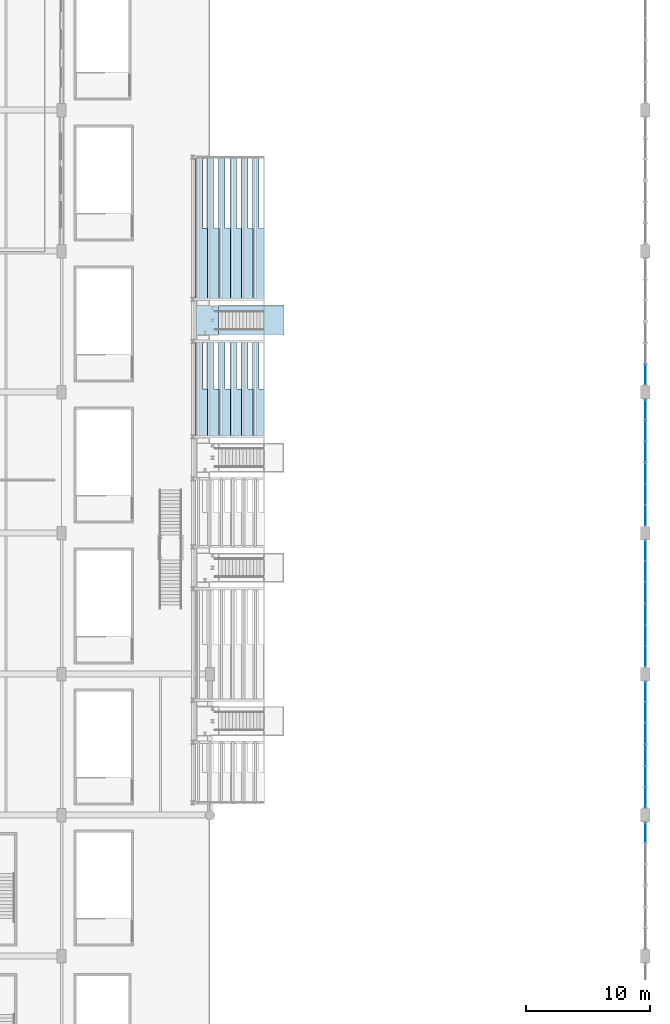
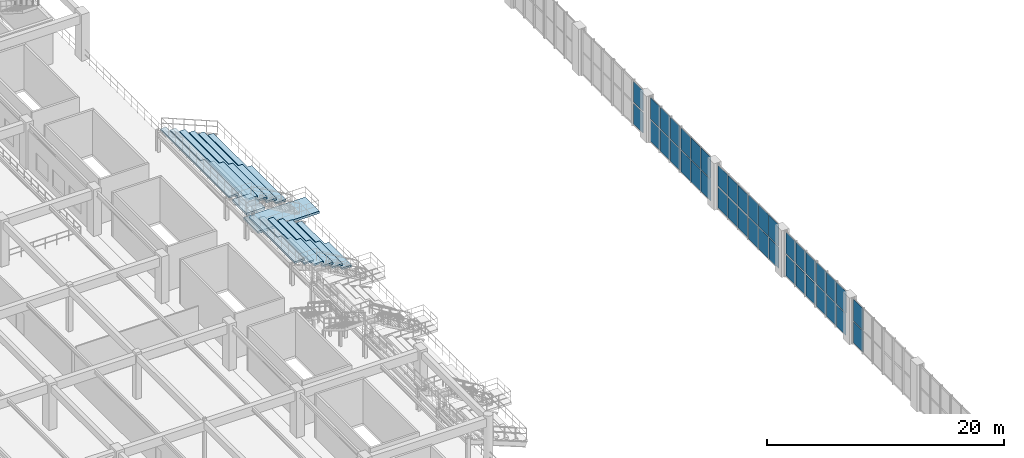
# One storey, part 75 of 106: 40 plates, 14 slabs, 8 elements without a shape of their own.
"""IFC4 building model written with IfcOpenShell, lengths in metres."""

from ifc_helpers import new_model, si_unit, direction, frame, origin, origin_2d, place, context, subcontext, project, spatial, polyline, rectangle, outline, extrude, material, layer, layer_set, type_object, element, aggregate, save


model = new_model("IFC4")

# Units and contexts
model_context = context("Model", 3, precision=1e-05, world=origin(), true_north=direction((0.0, 1.0)))
body_context = subcontext(model_context, "Body", "Model", "MODEL_VIEW")
ifc_project = project(units=[si_unit("LENGTHUNIT", "METRE"), si_unit("AREAUNIT", "SQUARE_METRE"), si_unit("VOLUMEUNIT", "CUBIC_METRE"), si_unit("PLANEANGLEUNIT", "RADIAN"), si_unit("MASSUNIT", "GRAM", prefix="KILO"), si_unit("POWERUNIT", "WATT"), si_unit("THERMODYNAMICTEMPERATUREUNIT", "KELVIN")], contexts=[model_context])

# Site, building, storey
site_placement = place(None, origin())
site = spatial("IfcSite", under=ifc_project, at=site_placement, CompositionType="ELEMENT")
building_placement = place(site_placement, origin())
building = spatial("IfcBuilding", under=site, at=building_placement, Name="Kelmbourne Parkland Aquatics Centre", CompositionType="ELEMENT")
storey_placement = place(building_placement, frame((0.0, 0.0, 5.39990234375)))
storey = spatial("IfcBuildingStorey", under=building, at=storey_placement, Name="L01", CompositionType="ELEMENT", Elevation=5.39990234375)

# Curtain wall, plate
ifc_material_1 = material(Name="Thermally broken anodised aluminium framing", Category="aluminium")
ifc_layer_1 = layer(ifc_material_1, 0.179931640625)
ifc_layer_set_1 = layer_set([ifc_layer_1], Name="Thermally broken anodised aluminium framing")
curtain_wall_type_1 = type_object("IfcCurtainWallType", Name="CW-09", PredefinedType="NOTDEFINED", material=ifc_layer_set_1)
curtain_wall_1_placement = place(storey_placement, origin())
curtain_wall_1 = element("IfcCurtainWall", 1, at=curtain_wall_1_placement, inside=storey, type_object=curtain_wall_type_1, Name="Wave-hall clerestory curtain wall CW-L01-033", PredefinedType="NOTDEFINED")
ifc_material_2 = material(Name="Double-glazed low-e laminated safety glass", Category="glass")
ifc_layer_2 = layer(ifc_material_2, 0.0419921875)
ifc_layer_set_2 = layer_set([ifc_layer_2], Name="Double-glazed low-e laminated safety glass")
plate_type_1 = type_object("IfcPlateType", Name="PL-CLR-1", PredefinedType="USERDEFINED", material=ifc_layer_set_2)
plate_1_placement = place(storey_placement, frame((175.199951171875, 33.558349609375, 2.428955078125), z_axis=(0.0, 0.0, 1.0), x_axis=(0.0, 1.0, 0.0)))
plate_1 = element("IfcPlate", 2, at=plate_1_placement, type_object=plate_type_1, Name="CW-L01-033 clerestory glazing 1-2", ObjectType="CLERESTORY GLAZING", PredefinedType="USERDEFINED", context=body_context, shape_type="SweptSolid", body=[
    extrude(rectangle(XDim=1.601318359375, YDim=0.0419921875, at=origin_2d()), origin(), (0.0, 0.0, 1.0), 2.2041015625),
])

# Curtain wall, plates
ifc_layer_3 = layer(ifc_material_1, 0.179931640625)
ifc_layer_set_3 = layer_set([ifc_layer_3], Name="Thermally broken anodised aluminium framing")
curtain_wall_type_2 = type_object("IfcCurtainWallType", Name="CW-15", PredefinedType="NOTDEFINED", material=ifc_layer_set_3)
curtain_wall_2_placement = place(storey_placement, origin())
curtain_wall_2 = element("IfcCurtainWall", 3, at=curtain_wall_2_placement, inside=storey, type_object=curtain_wall_type_2, Name="Wave-hall clerestory curtain wall CW-L01-039", PredefinedType="NOTDEFINED")
plate_2_placement = place(storey_placement, frame((175.199951171875, 36.445068359375, 2.428955078125), z_axis=(0.0, 0.0, 1.0), x_axis=(0.0, 1.0, 0.0)))
plate_2 = element("IfcPlate", 4, at=plate_2_placement, type_object=plate_type_1, Name="CW-L01-039 clerestory glazing 1-0", ObjectType="CLERESTORY GLAZING", PredefinedType="USERDEFINED", context=body_context, shape_type="SweptSolid", body=[
    extrude(rectangle(XDim=1.587890625, YDim=0.0419921875, at=origin_2d()), origin(), (0.0, 0.0, 1.0), 2.2041015625),
])
plate_3_placement = place(storey_placement, frame((175.199951171875, 38.1259765625, 2.428955078125), z_axis=(0.0, 0.0, 1.0), x_axis=(0.0, 1.0, 0.0)))
plate_3 = element("IfcPlate", 5, at=plate_3_placement, type_object=plate_type_1, Name="CW-L01-039 clerestory glazing 1-1", ObjectType="CLERESTORY GLAZING", PredefinedType="USERDEFINED", context=body_context, shape_type="SweptSolid", body=[
    extrude(rectangle(XDim=1.587890625, YDim=0.0419921875, at=origin_2d()), origin(), (0.0, 0.0, 1.0), 2.2041015625),
])
plate_4_placement = place(storey_placement, frame((175.199951171875, 39.806884765625, 2.428955078125), z_axis=(0.0, 0.0, 1.0), x_axis=(0.0, 1.0, 0.0)))
plate_4 = element("IfcPlate", 6, at=plate_4_placement, type_object=plate_type_1, Name="CW-L01-039 clerestory glazing 1-2", ObjectType="CLERESTORY GLAZING", PredefinedType="USERDEFINED", context=body_context, shape_type="SweptSolid", body=[
    extrude(rectangle(XDim=1.587890625, YDim=0.0419921875, at=origin_2d()), origin(), (0.0, 0.0, 1.0), 2.2041015625),
])

ifc_layer_4 = layer(ifc_material_1, 0.179931640625)
ifc_layer_set_4 = layer_set([ifc_layer_4], Name="Thermally broken anodised aluminium framing")
curtain_wall_type_3 = type_object("IfcCurtainWallType", Name="CW-19", PredefinedType="NOTDEFINED", material=ifc_layer_set_4)
curtain_wall_3_placement = place(storey_placement, origin())
curtain_wall_3 = element("IfcCurtainWall", 7, at=curtain_wall_3_placement, inside=storey, type_object=curtain_wall_type_3, Name="Wave-hall clerestory curtain wall CW-L01-043", PredefinedType="NOTDEFINED")
plate_5_placement = place(storey_placement, frame((175.199951171875, 41.589599609375, 2.4443359375), z_axis=(0.0, 0.0, 1.0), x_axis=(0.0, 1.0, 0.0)))
plate_5 = element("IfcPlate", 8, at=plate_5_placement, type_object=plate_type_1, Name="CW-L01-043 clerestory glazing 1-0", ObjectType="CLERESTORY GLAZING", PredefinedType="USERDEFINED", context=body_context, shape_type="SweptSolid", body=[
    extrude(rectangle(XDim=1.601318359375, YDim=0.0419921875, at=origin_2d()), origin(), (0.0, 0.0, 1.0), 2.158935546875),
])
plate_6_placement = place(storey_placement, frame((175.199951171875, 43.27392578125, 2.4443359375), z_axis=(0.0, 0.0, 1.0), x_axis=(0.0, 1.0, 0.0)))
plate_6 = element("IfcPlate", 9, at=plate_6_placement, type_object=plate_type_1, Name="CW-L01-043 clerestory glazing 1-1", ObjectType="CLERESTORY GLAZING", PredefinedType="USERDEFINED", context=body_context, shape_type="SweptSolid", body=[
    extrude(rectangle(XDim=1.601318359375, YDim=0.0419921875, at=origin_2d()), origin(), (0.0, 0.0, 1.0), 2.158935546875),
])
plate_7_placement = place(storey_placement, frame((175.199951171875, 44.95849609375, 2.4443359375), z_axis=(0.0, 0.0, 1.0), x_axis=(0.0, 1.0, 0.0)))
plate_7 = element("IfcPlate", 10, at=plate_7_placement, type_object=plate_type_1, Name="CW-L01-043 clerestory glazing 1-2", ObjectType="CLERESTORY GLAZING", PredefinedType="USERDEFINED", context=body_context, shape_type="SweptSolid", body=[
    extrude(rectangle(XDim=1.601318359375, YDim=0.0419921875, at=origin_2d()), origin(), (0.0, 0.0, 1.0), 2.158935546875),
])

ifc_layer_5 = layer(ifc_material_1, 0.179931640625)
ifc_layer_set_5 = layer_set([ifc_layer_5], Name="Thermally broken anodised aluminium framing")
curtain_wall_type_4 = type_object("IfcCurtainWallType", Name="CW-21", PredefinedType="NOTDEFINED", material=ifc_layer_set_5)
curtain_wall_4_placement = place(storey_placement, origin())
curtain_wall_4 = element("IfcCurtainWall", 11, at=curtain_wall_4_placement, inside=storey, type_object=curtain_wall_type_4, Name="Wave-hall clerestory curtain wall CW-L01-045", PredefinedType="NOTDEFINED")
plate_8_placement = place(storey_placement, frame((175.199951171875, 47.83154296875, 2.428955078125), z_axis=(0.0, 0.0, 1.0), x_axis=(0.0, 1.0, 0.0)))
plate_8 = element("IfcPlate", 12, at=plate_8_placement, type_object=plate_type_1, Name="CW-L01-045 clerestory glazing 1-0", ObjectType="CLERESTORY GLAZING", PredefinedType="USERDEFINED", context=body_context, shape_type="SweptSolid", body=[
    extrude(rectangle(XDim=1.641357421875, YDim=0.0419921875, at=origin_2d()), origin(), (0.0, 0.0, 1.0), 2.2041015625),
])
plate_9_placement = place(storey_placement, frame((175.199951171875, 49.52587890625, 2.428955078125), z_axis=(0.0, 0.0, 1.0), x_axis=(0.0, 1.0, 0.0)))
plate_9 = element("IfcPlate", 13, at=plate_9_placement, type_object=plate_type_1, Name="CW-L01-045 clerestory glazing 1-1", ObjectType="CLERESTORY GLAZING", PredefinedType="USERDEFINED", context=body_context, shape_type="SweptSolid", body=[
    extrude(rectangle(XDim=1.641357421875, YDim=0.0419921875, at=origin_2d()), origin(), (0.0, 0.0, 1.0), 2.2041015625),
])
plate_10_placement = place(storey_placement, frame((175.199951171875, 51.22021484375, 2.428955078125), z_axis=(0.0, 0.0, 1.0), x_axis=(0.0, 1.0, 0.0)))
plate_10 = element("IfcPlate", 14, at=plate_10_placement, type_object=plate_type_1, Name="CW-L01-045 clerestory glazing 1-2", ObjectType="CLERESTORY GLAZING", PredefinedType="USERDEFINED", context=body_context, shape_type="SweptSolid", body=[
    extrude(rectangle(XDim=1.641357421875, YDim=0.0419921875, at=origin_2d()), origin(), (0.0, 0.0, 1.0), 2.2041015625),
])

ifc_layer_6 = layer(ifc_material_1, 0.179931640625)
ifc_layer_set_6 = layer_set([ifc_layer_6], Name="Thermally broken anodised aluminium framing")
curtain_wall_type_5 = type_object("IfcCurtainWallType", Name="CW-23", PredefinedType="NOTDEFINED", material=ifc_layer_set_6)
curtain_wall_5_placement = place(storey_placement, origin())
curtain_wall_5 = element("IfcCurtainWall", 15, at=curtain_wall_5_placement, inside=storey, type_object=curtain_wall_type_5, Name="Wave-hall clerestory curtain wall CW-L01-047", PredefinedType="NOTDEFINED")
plate_11_placement = place(storey_placement, frame((175.199951171875, 52.986328125, 2.458984375), z_axis=(0.0, 0.0, 1.0), x_axis=(0.0, 1.0, 0.0)))
plate_11 = element("IfcPlate", 16, at=plate_11_placement, type_object=plate_type_1, Name="CW-L01-047 clerestory glazing 1-0", ObjectType="CLERESTORY GLAZING", PredefinedType="USERDEFINED", context=body_context, shape_type="SweptSolid", body=[
    extrude(rectangle(XDim=1.61474609375, YDim=0.0419921875, at=origin_2d()), origin(), (0.0, 0.0, 1.0), 2.114013671875),
])
plate_12_placement = place(storey_placement, frame((175.199951171875, 54.674072265625, 2.458984375), z_axis=(0.0, 0.0, 1.0), x_axis=(0.0, 1.0, 0.0)))
plate_12 = element("IfcPlate", 17, at=plate_12_placement, type_object=plate_type_1, Name="CW-L01-047 clerestory glazing 1-1", ObjectType="CLERESTORY GLAZING", PredefinedType="USERDEFINED", context=body_context, shape_type="SweptSolid", body=[
    extrude(rectangle(XDim=1.614501953125, YDim=0.0419921875, at=origin_2d()), origin(), (0.0, 0.0, 1.0), 2.114013671875),
])
plate_13_placement = place(storey_placement, frame((175.199951171875, 56.36181640625, 2.458984375), z_axis=(0.0, 0.0, 1.0), x_axis=(0.0, 1.0, 0.0)))
plate_13 = element("IfcPlate", 18, at=plate_13_placement, type_object=plate_type_1, Name="CW-L01-047 clerestory glazing 1-2", ObjectType="CLERESTORY GLAZING", PredefinedType="USERDEFINED", context=body_context, shape_type="SweptSolid", body=[
    extrude(rectangle(XDim=1.61474609375, YDim=0.0419921875, at=origin_2d()), origin(), (0.0, 0.0, 1.0), 2.114013671875),
])

ifc_layer_7 = layer(ifc_material_1, 0.179931640625)
ifc_layer_set_7 = layer_set([ifc_layer_7], Name="Thermally broken anodised aluminium framing")
curtain_wall_type_6 = type_object("IfcCurtainWallType", Name="CW-03", PredefinedType="NOTDEFINED", material=ifc_layer_set_7)
curtain_wall_6_placement = place(storey_placement, origin())
curtain_wall_6 = element("IfcCurtainWall", 19, at=curtain_wall_6_placement, inside=storey, type_object=curtain_wall_type_6, Name="Wave-hall clerestory curtain wall CW-L01-051", PredefinedType="NOTDEFINED")
plate_14_placement = place(storey_placement, frame((175.199951171875, 59.235107421875, 2.428955078125), z_axis=(0.0, 0.0, 1.0), x_axis=(0.0, 1.0, 0.0)))
plate_14 = element("IfcPlate", 20, at=plate_14_placement, type_object=plate_type_1, Name="CW-L01-051 clerestory glazing 1-0", ObjectType="CLERESTORY GLAZING", PredefinedType="USERDEFINED", context=body_context, shape_type="SweptSolid", body=[
    extrude(rectangle(XDim=1.6279296875, YDim=0.0419921875, at=origin_2d()), origin(), (0.0, 0.0, 1.0), 2.2041015625),
])
plate_15_placement = place(storey_placement, frame((175.199951171875, 60.926025390625, 2.428955078125), z_axis=(0.0, 0.0, 1.0), x_axis=(0.0, 1.0, 0.0)))
plate_15 = element("IfcPlate", 21, at=plate_15_placement, type_object=plate_type_1, Name="CW-L01-051 clerestory glazing 1-1", ObjectType="CLERESTORY GLAZING", PredefinedType="USERDEFINED", context=body_context, shape_type="SweptSolid", body=[
    extrude(rectangle(XDim=1.6279296875, YDim=0.0419921875, at=origin_2d()), origin(), (0.0, 0.0, 1.0), 2.2041015625),
])
plate_16_placement = place(storey_placement, frame((175.199951171875, 62.616943359375, 2.428955078125), z_axis=(0.0, 0.0, 1.0), x_axis=(0.0, 1.0, 0.0)))
plate_16 = element("IfcPlate", 22, at=plate_16_placement, type_object=plate_type_1, Name="CW-L01-051 clerestory glazing 1-2", ObjectType="CLERESTORY GLAZING", PredefinedType="USERDEFINED", context=body_context, shape_type="SweptSolid", body=[
    extrude(rectangle(XDim=1.6279296875, YDim=0.0419921875, at=origin_2d()), origin(), (0.0, 0.0, 1.0), 2.2041015625),
])

ifc_layer_8 = layer(ifc_material_1, 0.179931640625)
ifc_layer_set_8 = layer_set([ifc_layer_8], Name="Thermally broken anodised aluminium framing")
curtain_wall_type_7 = type_object("IfcCurtainWallType", Name="CW-06", PredefinedType="NOTDEFINED", material=ifc_layer_set_8)
curtain_wall_7_placement = place(storey_placement, origin())
curtain_wall_7 = element("IfcCurtainWall", 23, at=curtain_wall_7_placement, inside=storey, type_object=curtain_wall_type_7, Name="Wave-hall clerestory curtain wall CW-L01-054", PredefinedType="NOTDEFINED")
plate_17_placement = place(storey_placement, frame((175.199951171875, 64.39306640625, 2.428955078125), z_axis=(0.0, 0.0, 1.0), x_axis=(0.0, 1.0, 0.0)))
plate_17 = element("IfcPlate", 24, at=plate_17_placement, type_object=plate_type_1, Name="CW-L01-054 clerestory glazing 1-0", ObjectType="CLERESTORY GLAZING", PredefinedType="USERDEFINED", context=body_context, shape_type="SweptSolid", body=[
    extrude(rectangle(XDim=1.587890625, YDim=0.0419921875, at=origin_2d()), origin(), (0.0, 0.0, 1.0), 2.2041015625),
])
plate_18_placement = place(storey_placement, frame((175.199951171875, 66.073974609375, 2.428955078125), z_axis=(0.0, 0.0, 1.0), x_axis=(0.0, 1.0, 0.0)))
plate_18 = element("IfcPlate", 25, at=plate_18_placement, type_object=plate_type_1, Name="CW-L01-054 clerestory glazing 1-1", ObjectType="CLERESTORY GLAZING", PredefinedType="USERDEFINED", context=body_context, shape_type="SweptSolid", body=[
    extrude(rectangle(XDim=1.587890625, YDim=0.0419921875, at=origin_2d()), origin(), (0.0, 0.0, 1.0), 2.2041015625),
])
plate_19_placement = place(storey_placement, frame((175.199951171875, 67.7548828125, 2.428955078125), z_axis=(0.0, 0.0, 1.0), x_axis=(0.0, 1.0, 0.0)))
plate_19 = element("IfcPlate", 26, at=plate_19_placement, type_object=plate_type_1, Name="CW-L01-054 clerestory glazing 1-2", ObjectType="CLERESTORY GLAZING", PredefinedType="USERDEFINED", context=body_context, shape_type="SweptSolid", body=[
    extrude(rectangle(XDim=1.587890625, YDim=0.0419921875, at=origin_2d()), origin(), (0.0, 0.0, 1.0), 2.2041015625),
])

# Curtain wall, plate
ifc_layer_9 = layer(ifc_material_1, 0.179931640625)
ifc_layer_set_9 = layer_set([ifc_layer_9], Name="Thermally broken anodised aluminium framing")
curtain_wall_type_8 = type_object("IfcCurtainWallType", Name="CW-11", PredefinedType="NOTDEFINED", material=ifc_layer_set_9)
curtain_wall_8_placement = place(storey_placement, origin())
curtain_wall_8 = element("IfcCurtainWall", 27, at=curtain_wall_8_placement, inside=storey, type_object=curtain_wall_type_8, Name="Wave-hall clerestory curtain wall CW-L01-059", PredefinedType="NOTDEFINED")
plate_20_placement = place(storey_placement, frame((175.199951171875, 70.64501953125, 2.458984375), z_axis=(0.0, 0.0, 1.0), x_axis=(0.0, 1.0, 0.0)))
plate_20 = element("IfcPlate", 28, at=plate_20_placement, type_object=plate_type_1, Name="CW-L01-059 clerestory glazing 1-0", ObjectType="CLERESTORY GLAZING", PredefinedType="USERDEFINED", context=body_context, shape_type="SweptSolid", body=[
    extrude(rectangle(XDim=1.587890625, YDim=0.0419921875, at=origin_2d()), origin(), (0.0, 0.0, 1.0), 2.114013671875),
])

# Plate
ifc_layer_10 = layer(ifc_material_2, 0.02392578125)
ifc_layer_set_10 = layer_set([ifc_layer_10], Name="Double-glazed low-e laminated safety glass")
plate_type_2 = type_object("IfcPlateType", Name="PL-CWP-1", PredefinedType="CURTAIN_PANEL", material=ifc_layer_set_10)
plate_21_placement = place(storey_placement, frame((175.199951171875, 33.558349609375, 0.116943359375), z_axis=(0.0, 0.0, 1.0), x_axis=(0.0, 1.0, 0.0)))
plate_21 = element("IfcPlate", 29, at=plate_21_placement, type_object=plate_type_2, Name="CW-L01-033 vision glazing 0-2", PredefinedType="CURTAIN_PANEL", context=body_context, shape_type="SweptSolid", body=[
    extrude(rectangle(XDim=1.601318359375, YDim=0.02392578125, at=origin_2d()), origin(), (0.0, 0.0, 1.0), 2.2041015625),
])

aggregate(curtain_wall_1, [plate_21, plate_1])

plate_22_placement = place(storey_placement, frame((175.199951171875, 36.445068359375, 0.116943359375), z_axis=(0.0, 0.0, 1.0), x_axis=(0.0, 1.0, 0.0)))
plate_22 = element("IfcPlate", 30, at=plate_22_placement, type_object=plate_type_2, Name="CW-L01-039 vision glazing 0-0", PredefinedType="CURTAIN_PANEL", context=body_context, shape_type="SweptSolid", body=[
    extrude(rectangle(XDim=1.587890625, YDim=0.02392578125, at=origin_2d()), origin(), (0.0, 0.0, 1.0), 2.2041015625),
])

plate_23_placement = place(storey_placement, frame((175.199951171875, 38.1259765625, 0.116943359375), z_axis=(0.0, 0.0, 1.0), x_axis=(0.0, 1.0, 0.0)))
plate_23 = element("IfcPlate", 31, at=plate_23_placement, type_object=plate_type_2, Name="CW-L01-039 vision glazing 0-1", PredefinedType="CURTAIN_PANEL", context=body_context, shape_type="SweptSolid", body=[
    extrude(rectangle(XDim=1.587890625, YDim=0.02392578125, at=origin_2d()), origin(), (0.0, 0.0, 1.0), 2.2041015625),
])

plate_24_placement = place(storey_placement, frame((175.199951171875, 39.806884765625, 0.116943359375), z_axis=(0.0, 0.0, 1.0), x_axis=(0.0, 1.0, 0.0)))
plate_24 = element("IfcPlate", 32, at=plate_24_placement, type_object=plate_type_2, Name="CW-L01-039 vision glazing 0-2", PredefinedType="CURTAIN_PANEL", context=body_context, shape_type="SweptSolid", body=[
    extrude(rectangle(XDim=1.587890625, YDim=0.02392578125, at=origin_2d()), origin(), (0.0, 0.0, 1.0), 2.2041015625),
])

aggregate(curtain_wall_2, [plate_22, plate_23, plate_24, plate_2, plate_3, plate_4])

plate_25_placement = place(storey_placement, frame((175.199951171875, 47.83154296875, 0.116943359375), z_axis=(0.0, 0.0, 1.0), x_axis=(0.0, 1.0, 0.0)))
plate_25 = element("IfcPlate", 33, at=plate_25_placement, type_object=plate_type_2, Name="CW-L01-045 vision glazing 0-0", PredefinedType="CURTAIN_PANEL", context=body_context, shape_type="SweptSolid", body=[
    extrude(rectangle(XDim=1.641357421875, YDim=0.02392578125, at=origin_2d()), origin(), (0.0, 0.0, 1.0), 2.2041015625),
])

plate_26_placement = place(storey_placement, frame((175.199951171875, 49.52587890625, 0.116943359375), z_axis=(0.0, 0.0, 1.0), x_axis=(0.0, 1.0, 0.0)))
plate_26 = element("IfcPlate", 34, at=plate_26_placement, type_object=plate_type_2, Name="CW-L01-045 vision glazing 0-1", PredefinedType="CURTAIN_PANEL", context=body_context, shape_type="SweptSolid", body=[
    extrude(rectangle(XDim=1.641357421875, YDim=0.02392578125, at=origin_2d()), origin(), (0.0, 0.0, 1.0), 2.2041015625),
])

plate_27_placement = place(storey_placement, frame((175.199951171875, 51.22021484375, 0.116943359375), z_axis=(0.0, 0.0, 1.0), x_axis=(0.0, 1.0, 0.0)))
plate_27 = element("IfcPlate", 35, at=plate_27_placement, type_object=plate_type_2, Name="CW-L01-045 vision glazing 0-2", PredefinedType="CURTAIN_PANEL", context=body_context, shape_type="SweptSolid", body=[
    extrude(rectangle(XDim=1.641357421875, YDim=0.02392578125, at=origin_2d()), origin(), (0.0, 0.0, 1.0), 2.2041015625),
])

aggregate(curtain_wall_4, [plate_25, plate_26, plate_27, plate_8, plate_9, plate_10])

plate_28_placement = place(storey_placement, frame((175.199951171875, 59.235107421875, 0.116943359375), z_axis=(0.0, 0.0, 1.0), x_axis=(0.0, 1.0, 0.0)))
plate_28 = element("IfcPlate", 36, at=plate_28_placement, type_object=plate_type_2, Name="CW-L01-051 vision glazing 0-0", PredefinedType="CURTAIN_PANEL", context=body_context, shape_type="SweptSolid", body=[
    extrude(rectangle(XDim=1.6279296875, YDim=0.02392578125, at=origin_2d()), origin(), (0.0, 0.0, 1.0), 2.2041015625),
])

plate_29_placement = place(storey_placement, frame((175.199951171875, 60.926025390625, 0.116943359375), z_axis=(0.0, 0.0, 1.0), x_axis=(0.0, 1.0, 0.0)))
plate_29 = element("IfcPlate", 37, at=plate_29_placement, type_object=plate_type_2, Name="CW-L01-051 vision glazing 0-1", PredefinedType="CURTAIN_PANEL", context=body_context, shape_type="SweptSolid", body=[
    extrude(rectangle(XDim=1.6279296875, YDim=0.02392578125, at=origin_2d()), origin(), (0.0, 0.0, 1.0), 2.2041015625),
])

plate_30_placement = place(storey_placement, frame((175.199951171875, 62.616943359375, 0.116943359375), z_axis=(0.0, 0.0, 1.0), x_axis=(0.0, 1.0, 0.0)))
plate_30 = element("IfcPlate", 38, at=plate_30_placement, type_object=plate_type_2, Name="CW-L01-051 vision glazing 0-2", PredefinedType="CURTAIN_PANEL", context=body_context, shape_type="SweptSolid", body=[
    extrude(rectangle(XDim=1.6279296875, YDim=0.02392578125, at=origin_2d()), origin(), (0.0, 0.0, 1.0), 2.2041015625),
])

aggregate(curtain_wall_6, [plate_28, plate_29, plate_30, plate_14, plate_15, plate_16])

plate_31_placement = place(storey_placement, frame((175.199951171875, 64.39306640625, 0.116943359375), z_axis=(0.0, 0.0, 1.0), x_axis=(0.0, 1.0, 0.0)))
plate_31 = element("IfcPlate", 39, at=plate_31_placement, type_object=plate_type_2, Name="CW-L01-054 vision glazing 0-0", PredefinedType="CURTAIN_PANEL", context=body_context, shape_type="SweptSolid", body=[
    extrude(rectangle(XDim=1.587890625, YDim=0.02392578125, at=origin_2d()), origin(), (0.0, 0.0, 1.0), 2.2041015625),
])

plate_32_placement = place(storey_placement, frame((175.199951171875, 66.073974609375, 0.116943359375), z_axis=(0.0, 0.0, 1.0), x_axis=(0.0, 1.0, 0.0)))
plate_32 = element("IfcPlate", 40, at=plate_32_placement, type_object=plate_type_2, Name="CW-L01-054 vision glazing 0-1", PredefinedType="CURTAIN_PANEL", context=body_context, shape_type="SweptSolid", body=[
    extrude(rectangle(XDim=1.587890625, YDim=0.02392578125, at=origin_2d()), origin(), (0.0, 0.0, 1.0), 2.2041015625),
])

plate_33_placement = place(storey_placement, frame((175.199951171875, 67.7548828125, 0.116943359375), z_axis=(0.0, 0.0, 1.0), x_axis=(0.0, 1.0, 0.0)))
plate_33 = element("IfcPlate", 41, at=plate_33_placement, type_object=plate_type_2, Name="CW-L01-054 vision glazing 0-2", PredefinedType="CURTAIN_PANEL", context=body_context, shape_type="SweptSolid", body=[
    extrude(rectangle(XDim=1.587890625, YDim=0.02392578125, at=origin_2d()), origin(), (0.0, 0.0, 1.0), 2.2041015625),
])

aggregate(curtain_wall_7, [plate_31, plate_32, plate_33, plate_17, plate_18, plate_19])

ifc_layer_11 = layer(ifc_material_2, 0.035888671875)
ifc_layer_set_11 = layer_set([ifc_layer_11], Name="Double-glazed low-e laminated safety glass")
plate_type_3 = type_object("IfcPlateType", Name="PL-CWP-2", PredefinedType="CURTAIN_PANEL", material=ifc_layer_set_11)
plate_34_placement = place(storey_placement, frame((175.199951171875, 41.589599609375, 0.14697265625), z_axis=(0.0, 0.0, 1.0), x_axis=(0.0, 1.0, 0.0)))
plate_34 = element("IfcPlate", 42, at=plate_34_placement, type_object=plate_type_3, Name="CW-L01-043 vision glazing 0-0", PredefinedType="CURTAIN_PANEL", context=body_context, shape_type="SweptSolid", body=[
    extrude(rectangle(XDim=1.601318359375, YDim=0.035888671875, at=origin_2d()), origin(), (0.0, 0.0, 1.0), 2.158935546875),
])

plate_35_placement = place(storey_placement, frame((175.199951171875, 43.27392578125, 0.14697265625), z_axis=(0.0, 0.0, 1.0), x_axis=(0.0, 1.0, 0.0)))
plate_35 = element("IfcPlate", 43, at=plate_35_placement, type_object=plate_type_3, Name="CW-L01-043 vision glazing 0-1", PredefinedType="CURTAIN_PANEL", context=body_context, shape_type="SweptSolid", body=[
    extrude(rectangle(XDim=1.601318359375, YDim=0.035888671875, at=origin_2d()), origin(), (0.0, 0.0, 1.0), 2.158935546875),
])

plate_36_placement = place(storey_placement, frame((175.199951171875, 44.95849609375, 0.14697265625), z_axis=(0.0, 0.0, 1.0), x_axis=(0.0, 1.0, 0.0)))
plate_36 = element("IfcPlate", 44, at=plate_36_placement, type_object=plate_type_3, Name="CW-L01-043 vision glazing 0-2", PredefinedType="CURTAIN_PANEL", context=body_context, shape_type="SweptSolid", body=[
    extrude(rectangle(XDim=1.601318359375, YDim=0.035888671875, at=origin_2d()), origin(), (0.0, 0.0, 1.0), 2.158935546875),
])

aggregate(curtain_wall_3, [plate_34, plate_35, plate_36, plate_5, plate_6, plate_7])

ifc_layer_12 = layer(ifc_material_2, 0.048095703125)
ifc_layer_set_12 = layer_set([ifc_layer_12], Name="Double-glazed low-e laminated safety glass")
plate_type_4 = type_object("IfcPlateType", Name="PL-CWP-3", PredefinedType="CURTAIN_PANEL", material=ifc_layer_set_12)
plate_37_placement = place(storey_placement, frame((175.199951171875, 52.986328125, 0.17724609375), z_axis=(0.0, 0.0, 1.0), x_axis=(0.0, 1.0, 0.0)))
plate_37 = element("IfcPlate", 45, at=plate_37_placement, type_object=plate_type_4, Name="CW-L01-047 vision glazing 0-0", PredefinedType="CURTAIN_PANEL", context=body_context, shape_type="SweptSolid", body=[
    extrude(rectangle(XDim=1.61474609375, YDim=0.048095703125, at=origin_2d()), origin(), (0.0, 0.0, 1.0), 2.114013671875),
])

plate_38_placement = place(storey_placement, frame((175.199951171875, 54.674072265625, 0.17724609375), z_axis=(0.0, 0.0, 1.0), x_axis=(0.0, 1.0, 0.0)))
plate_38 = element("IfcPlate", 46, at=plate_38_placement, type_object=plate_type_4, Name="CW-L01-047 vision glazing 0-1", PredefinedType="CURTAIN_PANEL", context=body_context, shape_type="SweptSolid", body=[
    extrude(rectangle(XDim=1.614501953125, YDim=0.048095703125, at=origin_2d()), origin(), (0.0, 0.0, 1.0), 2.114013671875),
])

plate_39_placement = place(storey_placement, frame((175.199951171875, 56.36181640625, 0.17724609375), z_axis=(0.0, 0.0, 1.0), x_axis=(0.0, 1.0, 0.0)))
plate_39 = element("IfcPlate", 47, at=plate_39_placement, type_object=plate_type_4, Name="CW-L01-047 vision glazing 0-2", PredefinedType="CURTAIN_PANEL", context=body_context, shape_type="SweptSolid", body=[
    extrude(rectangle(XDim=1.61474609375, YDim=0.048095703125, at=origin_2d()), origin(), (0.0, 0.0, 1.0), 2.114013671875),
])

aggregate(curtain_wall_5, [plate_37, plate_38, plate_39, plate_11, plate_12, plate_13])

plate_40_placement = place(storey_placement, frame((175.199951171875, 70.64501953125, 0.17724609375), z_axis=(0.0, 0.0, 1.0), x_axis=(0.0, 1.0, 0.0)))
plate_40 = element("IfcPlate", 48, at=plate_40_placement, type_object=plate_type_4, Name="CW-L01-059 vision glazing 0-0", PredefinedType="CURTAIN_PANEL", context=body_context, shape_type="SweptSolid", body=[
    extrude(rectangle(XDim=1.587890625, YDim=0.048095703125, at=origin_2d()), origin(), (0.0, 0.0, 1.0), 2.114013671875),
])

aggregate(curtain_wall_8, [plate_40, plate_20])

# Slabs
ifc_material_3 = material(Name="Concrete C40/50", Category="concrete")
ifc_layer_13 = layer(ifc_material_3, 0.239990234375)
ifc_layer_set_13 = layer_set([ifc_layer_13], Name="Concrete C40/50")
slab_type_1 = type_object("IfcSlabType", Name="SL-F2", PredefinedType="FLOOR", material=ifc_layer_set_13)
slab_1_placement = place(storey_placement, frame((0.0, 0.0, -0.239990234375)))
element("IfcSlab", 49, at=slab_1_placement, inside=storey, type_object=slab_type_1, Name="VM04 lower concourse landing", PredefinedType="FLOOR", context=body_context, shape_type="SweptSolid", body=[
    extrude(outline(polyline([(140.0, 73.800048828125), (145.989990234375, 73.800048828125), (145.989990234375, 76.199951171875), (140.0, 76.199951171875), (140.0, 73.800048828125)])), origin(), (0.0, 0.0, 1.0), 0.239990234375),
])
ifc_layer_14 = layer(ifc_material_3, 0.179931640625)
ifc_layer_set_14 = layer_set([ifc_layer_14], Name="Concrete C40/50")
slab_type_2 = type_object("IfcSlabType", Name="SL-ST", PredefinedType="USERDEFINED", material=ifc_layer_set_14)
slab_2_placement = place(storey_placement, frame((0.0, 0.0, -0.179931640625)))
element("IfcSlab", 50, at=slab_2_placement, inside=storey, type_object=slab_type_2, Name="Stand Lower Bay 4 Row 1", ObjectType="SEATING TIER", PredefinedType="USERDEFINED", context=body_context, shape_type="SweptSolid", body=[
    extrude(outline(polyline([(143.43994140625, 65.60009765625), (144.39990234375, 65.60009765625), (144.39990234375, 69.449951171875), (143.97998046875, 69.449951171875), (143.97998046875, 73.300048828125), (143.43994140625, 73.300048828125), (143.43994140625, 65.60009765625)])), origin(), (0.0, 0.0, 1.0), 0.179931640625),
])
slab_3_placement = place(storey_placement, frame((0.0, 0.0, 0.27001953125)))
element("IfcSlab", 51, at=slab_3_placement, inside=storey, type_object=slab_type_2, Name="Stand Lower Bay 4 Row 2", ObjectType="SEATING TIER", PredefinedType="USERDEFINED", context=body_context, shape_type="SweptSolid", body=[
    extrude(outline(polyline([(142.52001953125, 65.60009765625), (143.47998046875, 65.60009765625), (143.47998046875, 69.449951171875), (143.06005859375, 69.449951171875), (143.06005859375, 73.300048828125), (142.52001953125, 73.300048828125), (142.52001953125, 65.60009765625)])), origin(), (0.0, 0.0, 1.0), 0.18017578125),
])
slab_4_placement = place(storey_placement, frame((0.0, 0.0, 0.72021484375)))
element("IfcSlab", 52, at=slab_4_placement, inside=storey, type_object=slab_type_2, Name="Stand Lower Bay 4 Row 3", ObjectType="SEATING TIER", PredefinedType="USERDEFINED", context=body_context, shape_type="SweptSolid", body=[
    extrude(outline(polyline([(141.60009765625, 65.60009765625), (142.56005859375, 65.60009765625), (142.56005859375, 69.449951171875), (142.139892578125, 69.449951171875), (142.139892578125, 73.300048828125), (141.60009765625, 73.300048828125), (141.60009765625, 65.60009765625)])), origin(), (0.0, 0.0, 1.0), 0.179931640625),
])
slab_5_placement = place(storey_placement, frame((0.0, 0.0, 1.170166015625)))
element("IfcSlab", 53, at=slab_5_placement, inside=storey, type_object=slab_type_2, Name="Stand Lower Bay 4 Row 4", ObjectType="SEATING TIER", PredefinedType="USERDEFINED", context=body_context, shape_type="SweptSolid", body=[
    extrude(outline(polyline([(140.679931640625, 65.60009765625), (141.639892578125, 65.60009765625), (141.639892578125, 69.449951171875), (141.219970703125, 69.449951171875), (141.219970703125, 73.300048828125), (140.679931640625, 73.300048828125), (140.679931640625, 65.60009765625)])), origin(), (0.0, 0.0, 1.0), 0.179931640625),
])
slab_6_placement = place(storey_placement, frame((0.0, 0.0, 1.6201171875)))
element("IfcSlab", 54, at=slab_6_placement, inside=storey, type_object=slab_type_2, Name="Stand Lower Bay 4 Row 5", ObjectType="SEATING TIER", PredefinedType="USERDEFINED", context=body_context, shape_type="SweptSolid", body=[
    extrude(outline(polyline([(139.760009765625, 65.60009765625), (140.719970703125, 65.60009765625), (140.719970703125, 69.449951171875), (140.300048828125, 69.449951171875), (140.300048828125, 73.300048828125), (139.760009765625, 73.300048828125), (139.760009765625, 65.60009765625)])), origin(), (0.0, 0.0, 1.0), 0.179931640625),
])
slab_7_placement = place(storey_placement, frame((0.0, 0.0, 2.070068359375)))
element("IfcSlab", 55, at=slab_7_placement, inside=storey, type_object=slab_type_2, Name="Stand Lower Bay 4 Row 6", ObjectType="SEATING TIER", PredefinedType="USERDEFINED", context=body_context, shape_type="SweptSolid", body=[
    extrude(outline(polyline([(138.840087890625, 65.60009765625), (139.800048828125, 65.60009765625), (139.800048828125, 69.449951171875), (139.3798828125, 69.449951171875), (139.3798828125, 73.300048828125), (138.840087890625, 73.300048828125), (138.840087890625, 65.60009765625)])), origin(), (0.0, 0.0, 1.0), 0.179931640625),
])
slab_8_placement = place(storey_placement, frame((0.0, 0.0, -0.179931640625)))
element("IfcSlab", 56, at=slab_8_placement, inside=storey, type_object=slab_type_2, Name="Stand Lower Bay 5 Row 1", ObjectType="SEATING TIER", PredefinedType="USERDEFINED", context=body_context, shape_type="SweptSolid", body=[
    extrude(outline(polyline([(143.43994140625, 76.699951171875), (144.39990234375, 76.699951171875), (144.39990234375, 82.449951171875), (143.97998046875, 82.449951171875), (143.97998046875, 88.199951171875), (143.43994140625, 88.199951171875), (143.43994140625, 76.699951171875)])), origin(), (0.0, 0.0, 1.0), 0.179931640625),
])
slab_9_placement = place(storey_placement, frame((0.0, 0.0, 0.27001953125)))
element("IfcSlab", 57, at=slab_9_placement, inside=storey, type_object=slab_type_2, Name="Stand Lower Bay 5 Row 2", ObjectType="SEATING TIER", PredefinedType="USERDEFINED", context=body_context, shape_type="SweptSolid", body=[
    extrude(outline(polyline([(142.52001953125, 76.699951171875), (143.47998046875, 76.699951171875), (143.47998046875, 82.449951171875), (143.06005859375, 82.449951171875), (143.06005859375, 88.199951171875), (142.52001953125, 88.199951171875), (142.52001953125, 76.699951171875)])), origin(), (0.0, 0.0, 1.0), 0.18017578125),
])
slab_10_placement = place(storey_placement, frame((0.0, 0.0, 0.72021484375)))
element("IfcSlab", 58, at=slab_10_placement, inside=storey, type_object=slab_type_2, Name="Stand Lower Bay 5 Row 3", ObjectType="SEATING TIER", PredefinedType="USERDEFINED", context=body_context, shape_type="SweptSolid", body=[
    extrude(outline(polyline([(141.60009765625, 76.699951171875), (142.56005859375, 76.699951171875), (142.56005859375, 82.449951171875), (142.139892578125, 82.449951171875), (142.139892578125, 88.199951171875), (141.60009765625, 88.199951171875), (141.60009765625, 76.699951171875)])), origin(), (0.0, 0.0, 1.0), 0.179931640625),
])
slab_11_placement = place(storey_placement, frame((0.0, 0.0, 1.170166015625)))
element("IfcSlab", 59, at=slab_11_placement, inside=storey, type_object=slab_type_2, Name="Stand Lower Bay 5 Row 4", ObjectType="SEATING TIER", PredefinedType="USERDEFINED", context=body_context, shape_type="SweptSolid", body=[
    extrude(outline(polyline([(140.679931640625, 76.699951171875), (141.639892578125, 76.699951171875), (141.639892578125, 82.449951171875), (141.219970703125, 82.449951171875), (141.219970703125, 88.199951171875), (140.679931640625, 88.199951171875), (140.679931640625, 76.699951171875)])), origin(), (0.0, 0.0, 1.0), 0.179931640625),
])
slab_12_placement = place(storey_placement, frame((0.0, 0.0, 1.6201171875)))
element("IfcSlab", 60, at=slab_12_placement, inside=storey, type_object=slab_type_2, Name="Stand Lower Bay 5 Row 5", ObjectType="SEATING TIER", PredefinedType="USERDEFINED", context=body_context, shape_type="SweptSolid", body=[
    extrude(outline(polyline([(139.760009765625, 76.699951171875), (140.719970703125, 76.699951171875), (140.719970703125, 82.449951171875), (140.300048828125, 82.449951171875), (140.300048828125, 88.199951171875), (139.760009765625, 88.199951171875), (139.760009765625, 76.699951171875)])), origin(), (0.0, 0.0, 1.0), 0.179931640625),
])
slab_13_placement = place(storey_placement, frame((0.0, 0.0, 2.070068359375)))
element("IfcSlab", 61, at=slab_13_placement, inside=storey, type_object=slab_type_2, Name="Stand Lower Bay 5 Row 6", ObjectType="SEATING TIER", PredefinedType="USERDEFINED", context=body_context, shape_type="SweptSolid", body=[
    extrude(outline(polyline([(138.840087890625, 76.699951171875), (139.800048828125, 76.699951171875), (139.800048828125, 82.449951171875), (139.3798828125, 82.449951171875), (139.3798828125, 88.199951171875), (138.840087890625, 88.199951171875), (138.840087890625, 76.699951171875)])), origin(), (0.0, 0.0, 1.0), 0.179931640625),
])
slab_14_placement = place(storey_placement, frame((0.0, 0.0, 2.02001953125)))
element("IfcSlab", 62, at=slab_14_placement, inside=storey, type_object=slab_type_2, Name="VM04 upper seating tier landing", ObjectType="SEATING TIER", PredefinedType="USERDEFINED", context=body_context, shape_type="SweptSolid", body=[
    extrude(outline(polyline([(138.89990234375, 73.800048828125), (140.699951171875, 73.800048828125), (140.699951171875, 76.199951171875), (138.89990234375, 76.199951171875), (138.89990234375, 73.800048828125)])), origin(), (0.0, 0.0, 1.0), 0.22998046875),
])

save(model, "model.ifc")
